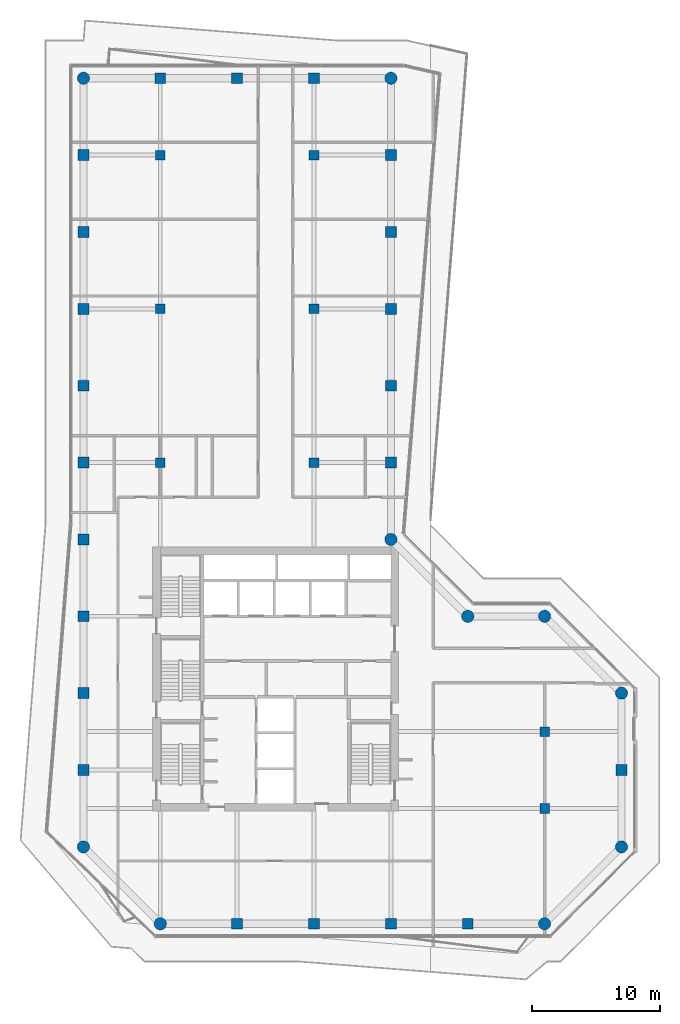
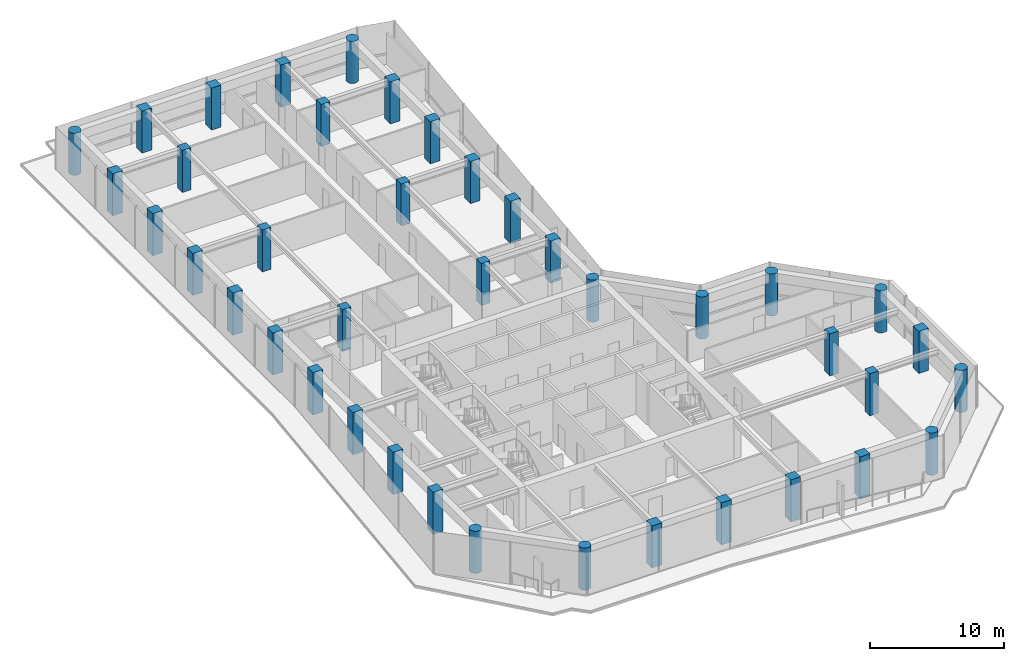
# One storey, part 1 of 22: 40 columns.
"""IFC4 building model written with IfcOpenShell, lengths in metres."""

from ifc_helpers import new_model, si_unit, direction, frame, origin, origin_2d, place, context, subcontext, project, spatial, rectangle, circle, extrude, material, material_profile, profile_set, type_object, element, save


model = new_model("IFC4")

# Units and contexts
model_context = context("Model", 3, precision=1e-05, world=origin(), true_north=direction((0.0, 1.0)))
body_context = subcontext(model_context, "Body", "Model", "MODEL_VIEW")
ifc_project = project(units=[si_unit("LENGTHUNIT", "METRE"), si_unit("AREAUNIT", "SQUARE_METRE"), si_unit("VOLUMEUNIT", "CUBIC_METRE"), si_unit("PLANEANGLEUNIT", "RADIAN"), si_unit("MASSUNIT", "GRAM", prefix="KILO")], contexts=[model_context])

# Site, building, storey
site_placement = place(None, origin())
site = spatial("IfcSite", under=ifc_project, at=site_placement, CompositionType="ELEMENT")
building_placement = place(site_placement, origin())
building = spatial("IfcBuilding", under=site, at=building_placement, Name="Welwitschia Terrace Campus", CompositionType="ELEMENT")
storey_placement = place(building_placement, frame((0.0, 0.0, 150.800048828125)))
storey = spatial("IfcBuildingStorey", under=building, at=storey_placement, Name="L33", CompositionType="ELEMENT", Elevation=150.800048828125)

# Columns
ifc_material_1 = material(Name="Concrete C50/60", Category="concrete")
ifc_material_profile_1 = material_profile(ifc_material_1, circle(Radius=0.47509765625, at=origin_2d()))
ifc_profile_set_1 = profile_set([ifc_material_profile_1], Name="Concrete C50/60")
column_type_1 = type_object("IfcColumnType", Name="Corner column 950 dia", PredefinedType="COLUMN", material=ifc_profile_set_1)
for number, where, z_axis, x_axis, name in (
    (1, (0.0, 2.0, 0.0), (0.0, 0.0, 1.0), (1.0, 0.0, 0.0), "Column C24"),
    (2, (0.0, 62.0, 0.0), (0.0, 0.0, 1.0), (1.0, 0.0, 0.0), "Column C24"),
    (3, (6.0, -4.0, 0.0), (0.0, 0.0, 1.0), (1.0, 0.0, 0.0), "Column C24"),
    (4, (24.0, 26.0, 0.0), (0.0, 0.0, 1.0), (1.0, 0.0, 0.0), "Column C24"),
    (5, (24.0, 62.0, 0.0), (0.0, 0.0, 1.0), (1.0, 0.0, 0.0), "Column C24"),
    (6, (30.0, 20.0, 0.0), (0.0, 0.0, 1.0), (1.0, 0.0, 0.0), "Column C24"),
    (7, (36.0, -4.0, 0.0), (0.0, 0.0, 1.0), (1.0, 0.0, 0.0), "Column C24"),
    (8, (36.0, 20.0, 0.0), (0.0, 0.0, 1.0), (1.0, 0.0, 0.0), "Column C24"),
    (9, (42.0, 2.0, 0.0), (0.0, 0.0, 1.0), (1.0, 0.0, 0.0), "Column C24"),
    (10, (42.0, 14.0, 0.0), (0.0, 0.0, 1.0), (1.0, 0.0, 0.0), "Column C24"),
):
    element("IfcColumn", number, at=place(storey_placement, frame(where, z_axis=z_axis, x_axis=x_axis)), inside=storey, type_object=column_type_1, Name=name, PredefinedType="COLUMN", context=body_context, shape_type="SweptSolid", body=[
        extrude(circle(Radius=0.47509765625, at=origin_2d()), origin(), (0.0, 0.0, 1.0), 3.849853515625),
    ])
ifc_material_2 = material(Name="Concrete C50/60", Category="concrete")
ifc_material_profile_2 = material_profile(ifc_material_2, rectangle(XDim=0.75, YDim=0.75, at=origin_2d()))
ifc_profile_set_2 = profile_set([ifc_material_profile_2], Name="Concrete C50/60")
column_type_2 = type_object("IfcColumnType", Name="Interior column 750x750", PredefinedType="COLUMN", material=ifc_profile_set_2)
for number, where, z_axis, x_axis, name in (
    (11, (6.0, 32.0, 0.0), (0.0, 0.0, 1.0), (1.0, 0.0, 0.0), "Column C25"),
    (12, (6.0, 44.0, 0.0), (0.0, 0.0, 1.0), (1.0, 0.0, 0.0), "Column C25"),
    (13, (6.0, 56.0, 0.0), (0.0, 0.0, 1.0), (1.0, 0.0, 0.0), "Column C25"),
    (14, (18.0, 32.0, 0.0), (0.0, 0.0, 1.0), (1.0, 0.0, 0.0), "Column C25"),
    (15, (18.0, 44.0, 0.0), (0.0, 0.0, 1.0), (1.0, 0.0, 0.0), "Column C25"),
    (16, (18.0, 56.0, 0.0), (0.0, 0.0, 1.0), (1.0, 0.0, 0.0), "Column C25"),
    (17, (36.0, 5.0, 0.0), (0.0, 0.0, 1.0), (1.0, 0.0, 0.0), "Column C25"),
    (18, (36.0, 11.0, 0.0), (0.0, 0.0, 1.0), (1.0, 0.0, 0.0), "Column C25"),
):
    element("IfcColumn", number, at=place(storey_placement, frame(where, z_axis=z_axis, x_axis=x_axis)), inside=storey, type_object=column_type_2, Name=name, PredefinedType="COLUMN", context=body_context, shape_type="SweptSolid", body=[
        extrude(rectangle(XDim=0.75, YDim=0.75, at=origin_2d()), origin(), (0.0, 0.0, 1.0), 3.849853515625),
    ])
ifc_material_3 = material(Name="Concrete C50/60", Category="concrete")
ifc_material_profile_3 = material_profile(ifc_material_3, rectangle(XDim=0.85009765625, YDim=0.85009765625, at=origin_2d()))
ifc_profile_set_3 = profile_set([ifc_material_profile_3], Name="Concrete C50/60")
column_type_3 = type_object("IfcColumnType", Name="Ring column 850x850", PredefinedType="COLUMN", material=ifc_profile_set_3)
for number, where, z_axis, x_axis, name in (
    (19, (0.0, 8.0, 0.0), (0.0, 0.0, 1.0), (1.0, 0.0, 0.0), "Column C23"),
    (20, (0.0, 14.0, 0.0), (0.0, 0.0, 1.0), (1.0, 0.0, 0.0), "Column C23"),
    (21, (0.0, 20.0, 0.0), (0.0, 0.0, 1.0), (1.0, 0.0, 0.0), "Column C23"),
    (22, (0.0, 26.0, 0.0), (0.0, 0.0, 1.0), (1.0, 0.0, 0.0), "Column C23"),
    (23, (0.0, 32.0, 0.0), (0.0, 0.0, 1.0), (1.0, 0.0, 0.0), "Column C23"),
    (24, (0.0, 38.0, 0.0), (0.0, 0.0, 1.0), (1.0, 0.0, 0.0), "Column C23"),
    (25, (0.0, 44.0, 0.0), (0.0, 0.0, 1.0), (1.0, 0.0, 0.0), "Column C23"),
    (26, (0.0, 50.0, 0.0), (0.0, 0.0, 1.0), (1.0, 0.0, 0.0), "Column C23"),
    (27, (0.0, 56.0, 0.0), (0.0, 0.0, 1.0), (1.0, 0.0, 0.0), "Column C23"),
    (28, (6.0, 62.0, 0.0), (0.0, 0.0, 1.0), (1.0, 0.0, 0.0), "Column C23"),
    (29, (12.0, -4.0, 0.0), (0.0, 0.0, 1.0), (1.0, 0.0, 0.0), "Column C23"),
    (30, (12.0, 62.0, 0.0), (0.0, 0.0, 1.0), (1.0, 0.0, 0.0), "Column C23"),
    (31, (18.0, -4.0, 0.0), (0.0, 0.0, 1.0), (1.0, 0.0, 0.0), "Column C23"),
    (32, (18.0, 62.0, 0.0), (0.0, 0.0, 1.0), (1.0, 0.0, 0.0), "Column C23"),
    (33, (24.0, -4.0, 0.0), (0.0, 0.0, 1.0), (1.0, 0.0, 0.0), "Column C23"),
    (34, (24.0, 32.0, 0.0), (0.0, 0.0, 1.0), (1.0, 0.0, 0.0), "Column C23"),
    (35, (24.0, 38.0, 0.0), (0.0, 0.0, 1.0), (1.0, 0.0, 0.0), "Column C23"),
    (36, (24.0, 44.0, 0.0), (0.0, 0.0, 1.0), (1.0, 0.0, 0.0), "Column C23"),
    (37, (24.0, 50.0, 0.0), (0.0, 0.0, 1.0), (1.0, 0.0, 0.0), "Column C23"),
    (38, (24.0, 56.0, 0.0), (0.0, 0.0, 1.0), (1.0, 0.0, 0.0), "Column C23"),
    (39, (30.0, -4.0, 0.0), (0.0, 0.0, 1.0), (1.0, 0.0, 0.0), "Column C23"),
    (40, (42.0, 8.0, 0.0), (0.0, 0.0, 1.0), (1.0, 0.0, 0.0), "Column C23"),
):
    element("IfcColumn", number, at=place(storey_placement, frame(where, z_axis=z_axis, x_axis=x_axis)), inside=storey, type_object=column_type_3, Name=name, PredefinedType="COLUMN", context=body_context, shape_type="SweptSolid", body=[
        extrude(rectangle(XDim=0.85009765625, YDim=0.85009765625, at=origin_2d()), origin(), (0.0, 0.0, 1.0), 3.849853515625),
    ])

save(model, "model.ifc")
